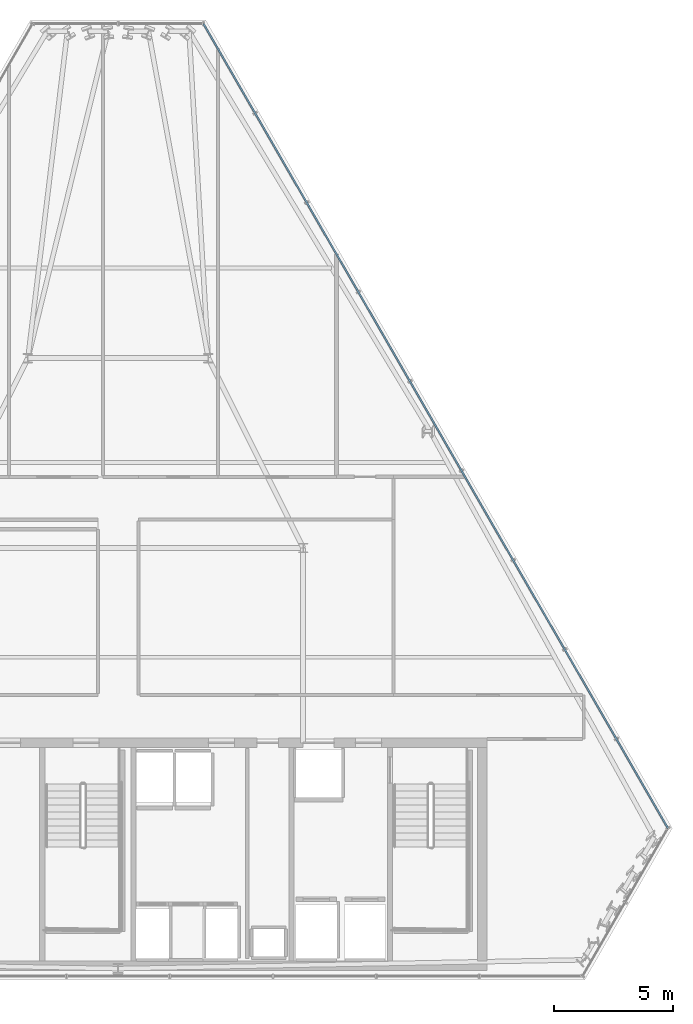
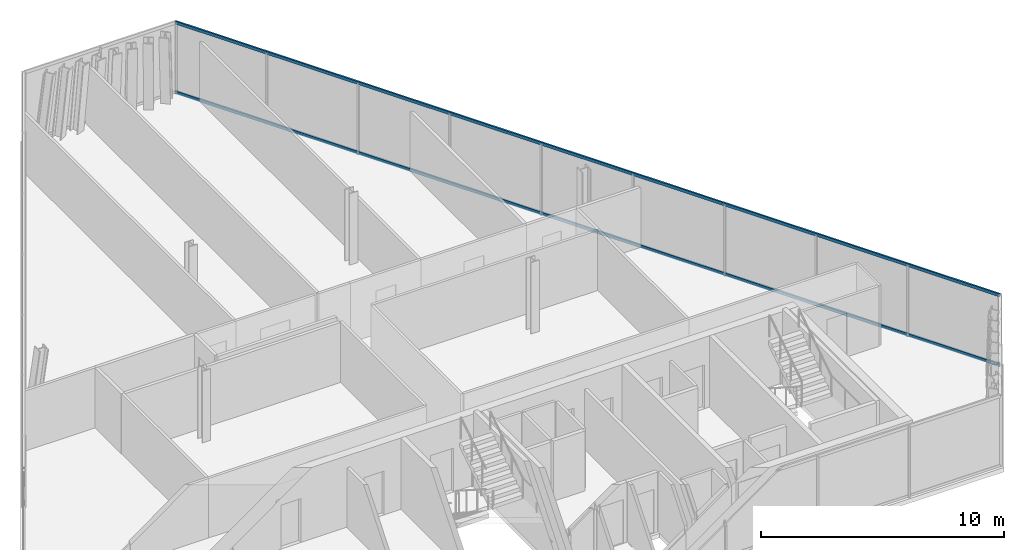
# One storey, part 18 of 29: 2 members, 1 element without a shape of its own.
"""IFC4 building model written with IfcOpenShell, lengths in metres."""

from ifc_helpers import new_model, si_unit, direction, frame, origin, origin_2d, place, context, subcontext, project, spatial, hollow_rectangle, extrude, material, layer, layer_set, material_profile, profile_set, type_object, element, aggregate, save


model = new_model("IFC4")

# Units and contexts
model_context = context("Model", 3, precision=1e-05, world=origin(), true_north=direction((0.0, 1.0)))
body_context = subcontext(model_context, "Body", "Model", "MODEL_VIEW")
ifc_project = project(units=[si_unit("LENGTHUNIT", "METRE"), si_unit("AREAUNIT", "SQUARE_METRE"), si_unit("VOLUMEUNIT", "CUBIC_METRE"), si_unit("PLANEANGLEUNIT", "RADIAN"), si_unit("MASSUNIT", "GRAM", prefix="KILO")], contexts=[model_context])

# Site, building, storey
site_placement = place(None, origin())
site = spatial("IfcSite", under=ifc_project, at=site_placement, CompositionType="ELEMENT")
building_placement = place(site_placement, origin())
building = spatial("IfcBuilding", under=site, at=building_placement, Name="Ndaravel Arena Tower", CompositionType="ELEMENT")
storey_placement = place(building_placement, frame((0.0, 0.0, 237.0)))
storey = spatial("IfcBuildingStorey", under=building, at=storey_placement, Name="L57", CompositionType="ELEMENT", Elevation=237.0)

# Curtain wall, members
ifc_material_1 = material(Name="Aluminium", Category="aluminium")
ifc_layer = layer(ifc_material_1, 0.179931640625)
ifc_layer_set = layer_set([ifc_layer], Name="Aluminium")
curtain_wall_type = type_object("IfcCurtainWallType", Name="CW-SYS-03", PredefinedType="NOTDEFINED", material=ifc_layer_set)
curtain_wall_placement = place(storey_placement, origin())
curtain_wall = element("IfcCurtainWall", 1, at=curtain_wall_placement, inside=storey, type_object=curtain_wall_type, Name="L57 Faceted Crystal Curtain Wall CW-L57-E03", PredefinedType="NOTDEFINED")
ifc_material_2 = material(Name="Aluminium", Category="aluminium")
ifc_material_profile = material_profile(ifc_material_2, hollow_rectangle(XDim=0.074951171875, YDim=0.14990234375, WallThickness=0.00390625, at=origin_2d()), Name="CW TRANSOM 75x150x4")
ifc_profile_set = profile_set([ifc_material_profile], Name="Aluminium")
member_type = type_object("IfcMemberType", Name="MEM-CW-TRN150", PredefinedType="USERDEFINED", material=ifc_profile_set)
member_1_placement = place(storey_placement, frame((65.168212890625, 11.39501953125, 0.0400390625), z_axis=(-0.500000184703, 0.866025297146, 0.0), x_axis=(-0.866025297146, -0.500000184703, 0.0)))
member_1 = element("IfcMember", 2, at=member_1_placement, type_object=member_type, Name="CW-L57-E03 Transom 01", ObjectType="TRANSOM", PredefinedType="USERDEFINED", context=body_context, shape_type="SweptSolid", body=[
    extrude(hollow_rectangle(XDim=0.074951171875, YDim=0.14990234375, WallThickness=0.00390625, at=origin_2d()), origin(), (0.0, 0.0, 1.0), 39.13720703125),
])
member_2_placement = place(storey_placement, frame((65.168212890625, 11.39501953125, 3.5400390625), z_axis=(-0.500000184703, 0.866025297146, 0.0), x_axis=(-0.866025297146, -0.500000184703, 0.0)))
member_2 = element("IfcMember", 3, at=member_2_placement, type_object=member_type, Name="CW-L57-E03 Transom 02", ObjectType="TRANSOM", PredefinedType="USERDEFINED", context=body_context, shape_type="SweptSolid", body=[
    extrude(hollow_rectangle(XDim=0.074951171875, YDim=0.14990234375, WallThickness=0.00390625, at=origin_2d()), origin(), (0.0, 0.0, 1.0), 39.13720703125),
])
aggregate(curtain_wall, [member_1, member_2])

save(model, "model.ifc")
